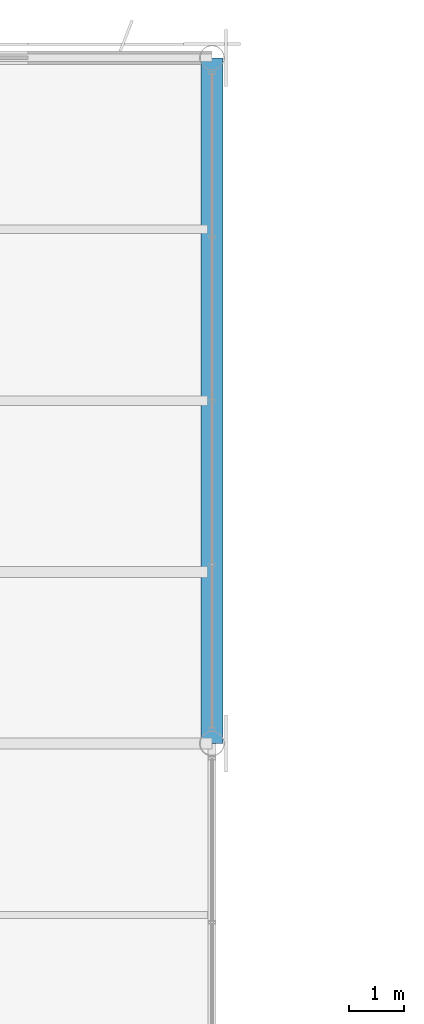
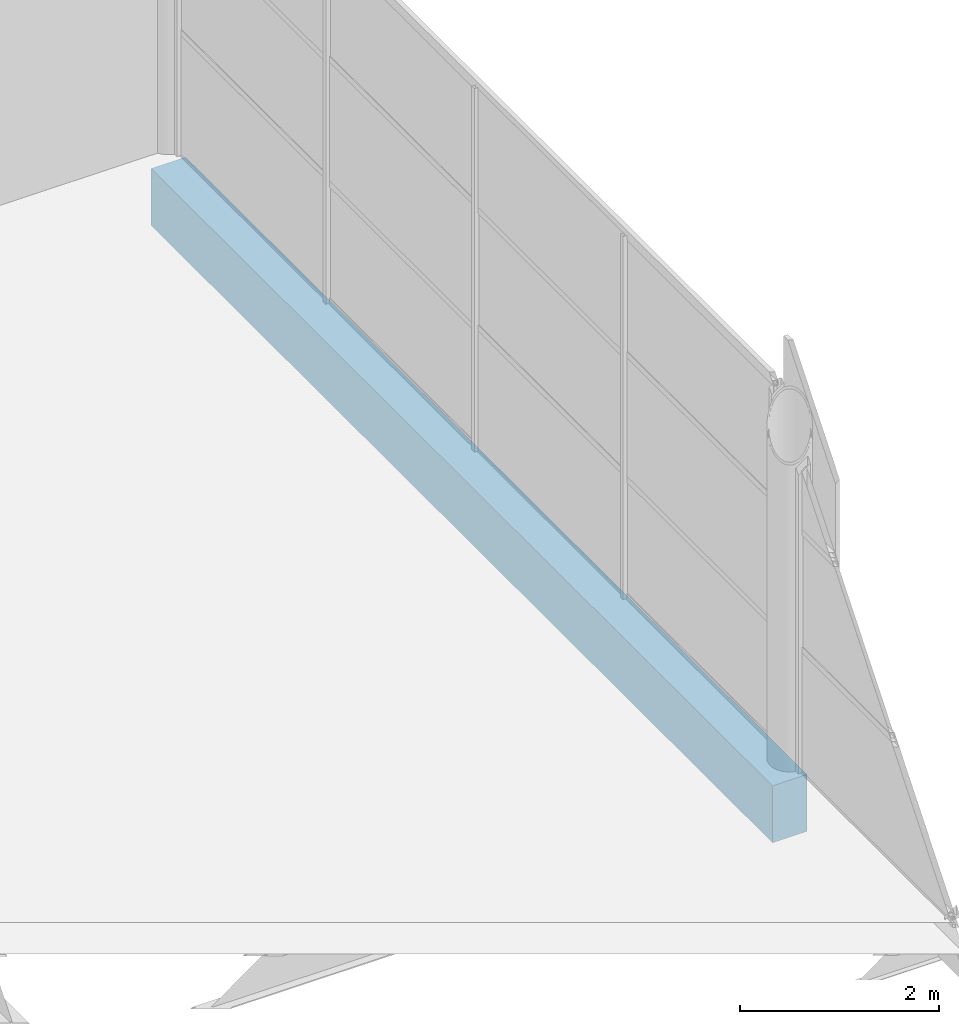
# One storey, part 46 of 101: 1 beam.
"""IFC4 building model written with IfcOpenShell, lengths in metres."""

from ifc_helpers import new_model, si_unit, direction, frame, origin, origin_2d, place, context, subcontext, project, spatial, rectangle, extrude, material, material_profile, profile_set, type_object, element, save


model = new_model("IFC4")

# Units and contexts
model_context = context("Model", 3, precision=1e-05, world=origin(), true_north=direction((0.0, 1.0)))
body_context = subcontext(model_context, "Body", "Model", "MODEL_VIEW")
ifc_project = project(units=[si_unit("LENGTHUNIT", "METRE"), si_unit("AREAUNIT", "SQUARE_METRE"), si_unit("VOLUMEUNIT", "CUBIC_METRE"), si_unit("PLANEANGLEUNIT", "RADIAN"), si_unit("MASSUNIT", "GRAM", prefix="KILO")], contexts=[model_context])

# Site, building, storey
site_placement = place(None, origin())
site = spatial("IfcSite", under=ifc_project, at=site_placement, CompositionType="ELEMENT")
building_placement = place(site_placement, origin())
building = spatial("IfcBuilding", under=site, at=building_placement, Name="Solvikara Media Centre", CompositionType="ELEMENT")
storey_placement = place(building_placement, frame((0.0, 0.0, 10.199951171875)))
storey = spatial("IfcBuildingStorey", under=building, at=storey_placement, Name="L02", CompositionType="ELEMENT", Elevation=10.199951171875)

# Beam
ifc_material = material(Name="Concrete fc' 35 MPa (C35/45)", Category="concrete")
ifc_material_profile = material_profile(ifc_material, rectangle(XDim=0.39990234375, YDim=0.699951171875, at=origin_2d()), Name="RC 400x700")
ifc_profile_set = profile_set([ifc_material_profile], Name="Concrete fc' 35 MPa (C35/45)")
beam_type = type_object("IfcBeamType", Name="BM-13", PredefinedType="SPANDREL", material=ifc_profile_set)
beam_placement = place(storey_placement, frame((34.0, 101.5, -0.60986328125), z_axis=(0.0, 1.0, 0.0), x_axis=(-1.0, 0.0, 0.0)))
element("IfcBeam", 1, at=beam_placement, inside=storey, type_object=beam_type, Name="B-L02-Y0955", PredefinedType="SPANDREL", context=body_context, shape_type="SweptSolid", body=[
    extrude(rectangle(XDim=0.39990234375, YDim=0.699951171875, at=origin_2d()), origin(), (0.0, 0.0, 1.0), 12.5),
])

save(model, "model.ifc")
